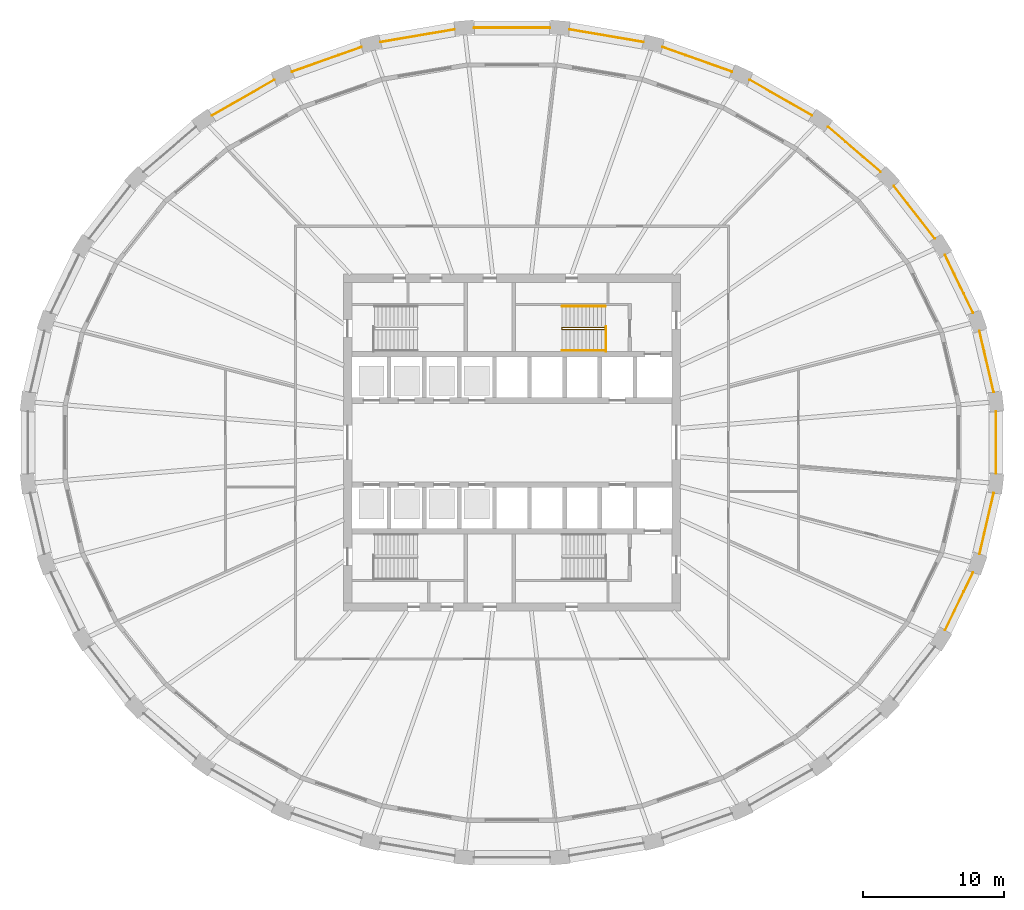
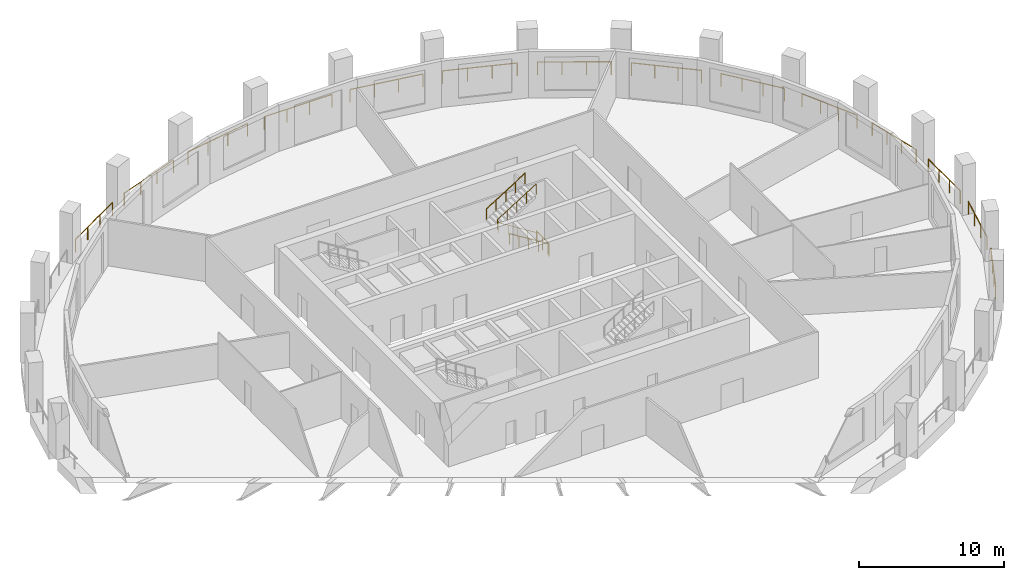
# One storey, part 9 of 10: 18 railings.
"""IFC4 building model written with IfcOpenShell, lengths in metres."""

from ifc_helpers import new_model, si_unit, direction, frame, origin, origin_2d, place, context, subcontext, project, spatial, circle, extrude, material, type_object, element, save


model = new_model("IFC4")

# Units and contexts
model_context = context("Model", 3, precision=1e-05, world=origin(), true_north=direction((0.0, 1.0)))
body_context = subcontext(model_context, "Body", "Model", "MODEL_VIEW")
ifc_project = project(units=[si_unit("LENGTHUNIT", "METRE"), si_unit("AREAUNIT", "SQUARE_METRE"), si_unit("VOLUMEUNIT", "CUBIC_METRE"), si_unit("PLANEANGLEUNIT", "RADIAN"), si_unit("MASSUNIT", "GRAM", prefix="KILO")], contexts=[model_context])

# Site, building, storey
site_placement = place(None, origin())
site = spatial("IfcSite", under=ifc_project, at=site_placement, CompositionType="ELEMENT")
building_placement = place(site_placement, origin())
building = spatial("IfcBuilding", under=site, at=building_placement, Name="Halqa Exchange Tower", CompositionType="ELEMENT")
storey_placement = place(building_placement, frame((0.0, 0.0, 133.89990234375)))
storey = spatial("IfcBuildingStorey", under=building, at=storey_placement, Name="L30", CompositionType="ELEMENT", Elevation=133.89990234375)

# Railings
ifc_material = material(Name="Stainless steel", Category="steel")
railing_type_1 = type_object("IfcRailingType", Name="Guard 1100 stainless steel", PredefinedType="GUARDRAIL", material=ifc_material)
railing_1_placement = place(storey_placement, frame((34.280517578125, 3.58935546875, 0.0)))
element("IfcRailing", 1, at=railing_1_placement, inside=storey, type_object=railing_type_1, Name="Loggia guard 1", PredefinedType="GUARDRAIL", context=body_context, shape_type="SweptSolid", body=[
    extrude(circle(Radius=0.02392578125, at=origin_2d()), frame((0.0, 0.0, 1.076171875), z_axis=(-0.226084201975, 0.974107762836, 0.0), x_axis=(-0.974107762836, -0.226084201975, 0.0)), (0.0, 0.0, 1.0), 4.454345703125),
    extrude(circle(Radius=0.02099609375, at=origin_2d()), origin(), (0.0, 0.0, 1.0), 1.052001953125),
    extrude(circle(Radius=0.02099609375, at=origin_2d()), frame((-0.335693359375, 1.4462890625, 0.0)), (0.0, 0.0, 1.0), 1.052001953125),
    extrude(circle(Radius=0.02099609375, at=origin_2d()), frame((-0.67138671875, 2.892822265625, 0.0)), (0.0, 0.0, 1.0), 1.052001953125),
    extrude(circle(Radius=0.02099609375, at=origin_2d()), frame((-1.007080078125, 4.339111328125, 0.0)), (0.0, 0.0, 1.0), 1.052001953125),
])
railing_2_placement = place(storey_placement, frame((32.810546875, 9.240478515625, 0.0)))
element("IfcRailing", 2, at=railing_2_placement, inside=storey, type_object=railing_type_1, Name="Loggia guard 2", PredefinedType="GUARDRAIL", context=body_context, shape_type="SweptSolid", body=[
    extrude(circle(Radius=0.02392578125, at=origin_2d()), frame((0.0, 0.0, 1.076171875), z_axis=(-0.435089925601, 0.900387003816, 0.0), x_axis=(-0.900387003816, -0.435089925601, 0.0)), (0.0, 0.0, 1.0), 4.56640625),
    extrude(circle(Radius=0.02099609375, at=origin_2d()), origin(), (0.0, 0.0, 1.0), 1.052001953125),
    extrude(circle(Radius=0.02099609375, at=origin_2d()), frame((-0.662353515625, 1.37060546875, 0.0)), (0.0, 0.0, 1.0), 1.052001953125),
    extrude(circle(Radius=0.02099609375, at=origin_2d()), frame((-1.324462890625, 2.740966796875, 0.0)), (0.0, 0.0, 1.0), 1.052001953125),
    extrude(circle(Radius=0.02099609375, at=origin_2d()), frame((-1.98681640625, 4.111572265625, 0.0)), (0.0, 0.0, 1.0), 1.052001953125),
])
railing_3_placement = place(storey_placement, frame((30.088623046875, 14.534423828125, 0.0)))
element("IfcRailing", 3, at=railing_3_placement, inside=storey, type_object=railing_type_1, Name="Loggia guard 3", PredefinedType="GUARDRAIL", context=body_context, shape_type="SweptSolid", body=[
    extrude(circle(Radius=0.02392578125, at=origin_2d()), frame((0.0, 0.0, 1.076171875), z_axis=(-0.614769268327, 0.788707009428, 0.0), x_axis=(-0.788707009428, -0.614769268327, 0.0)), (0.0, 0.0, 1.0), 4.730224609375),
    extrude(circle(Radius=0.02099609375, at=origin_2d()), origin(), (0.0, 0.0, 1.0), 1.052001953125),
    extrude(circle(Radius=0.02099609375, at=origin_2d()), frame((-0.96923828125, 1.24365234375, 0.0)), (0.0, 0.0, 1.0), 1.052001953125),
    extrude(circle(Radius=0.02099609375, at=origin_2d()), frame((-1.938720703125, 2.487060546875, 0.0)), (0.0, 0.0, 1.0), 1.052001953125),
    extrude(circle(Radius=0.02099609375, at=origin_2d()), frame((-2.907958984375, 3.730712890625, 0.0)), (0.0, 0.0, 1.0), 1.052001953125),
])
railing_4_placement = place(storey_placement, frame((26.21875, 19.272705078125, 0.0)))
element("IfcRailing", 4, at=railing_4_placement, inside=storey, type_object=railing_type_1, Name="Loggia guard 4", PredefinedType="GUARDRAIL", context=body_context, shape_type="SweptSolid", body=[
    extrude(circle(Radius=0.02392578125, at=origin_2d()), frame((0.0, 0.0, 1.076171875), z_axis=(-0.759260106659, 0.650787285091, 0.0), x_axis=(-0.650787285091, -0.759260106659, 0.0)), (0.0, 0.0, 1.0), 4.917724609375),
    extrude(circle(Radius=0.02099609375, at=origin_2d()), origin(), (0.0, 0.0, 1.0), 1.052001953125),
    extrude(circle(Radius=0.02099609375, at=origin_2d()), frame((-1.24462890625, 1.06689453125, 0.0)), (0.0, 0.0, 1.0), 1.052001953125),
    extrude(circle(Radius=0.02099609375, at=origin_2d()), frame((-2.4892578125, 2.133544921875, 0.0)), (0.0, 0.0, 1.0), 1.052001953125),
    extrude(circle(Radius=0.02099609375, at=origin_2d()), frame((-3.73388671875, 3.200439453125, 0.0)), (0.0, 0.0, 1.0), 1.052001953125),
])
railing_5_placement = place(storey_placement, frame((21.345947265625, 23.276611328125, 0.0)))
element("IfcRailing", 5, at=railing_5_placement, inside=storey, type_object=railing_type_1, Name="Loggia guard 5", PredefinedType="GUARDRAIL", context=body_context, shape_type="SweptSolid", body=[
    extrude(circle(Radius=0.02392578125, at=origin_2d()), frame((0.0, 0.0, 1.076171875), z_axis=(-0.867765525419, 0.496973835222, 0.0), x_axis=(-0.496973835222, -0.867765525419, 0.0)), (0.0, 0.0, 1.0), 5.10009765625),
    extrude(circle(Radius=0.02099609375, at=origin_2d()), origin(), (0.0, 0.0, 1.0), 1.052001953125),
    extrude(circle(Radius=0.02099609375, at=origin_2d()), frame((-1.475341796875, 0.844970703125, 0.0)), (0.0, 0.0, 1.0), 1.052001953125),
    extrude(circle(Radius=0.02099609375, at=origin_2d()), frame((-2.950439453125, 1.689697265625, 0.0)), (0.0, 0.0, 1.0), 1.052001953125),
    extrude(circle(Radius=0.02099609375, at=origin_2d()), frame((-4.42578125, 2.53466796875, 0.0)), (0.0, 0.0, 1.0), 1.052001953125),
])
railing_6_placement = place(storey_placement, frame((15.653076171875, 26.3935546875, 0.0)))
element("IfcRailing", 6, at=railing_6_placement, inside=storey, type_object=railing_type_1, Name="Loggia guard 6", PredefinedType="GUARDRAIL", context=body_context, shape_type="SweptSolid", body=[
    extrude(circle(Radius=0.02392578125, at=origin_2d()), frame((0.0, 0.0, 1.076171875), z_axis=(-0.942362020759, 0.334595011664, 0.0), x_axis=(-0.334595011664, -0.942362020759, 0.0)), (0.0, 0.0, 1.0), 5.250732421875),
    extrude(circle(Radius=0.02099609375, at=origin_2d()), origin(), (0.0, 0.0, 1.0), 1.052001953125),
    extrude(circle(Radius=0.02099609375, at=origin_2d()), frame((-1.6494140625, 0.585693359375, 0.0)), (0.0, 0.0, 1.0), 1.052001953125),
    extrude(circle(Radius=0.02099609375, at=origin_2d()), frame((-3.298583984375, 1.171142578125, 0.0)), (0.0, 0.0, 1.0), 1.052001953125),
    extrude(circle(Radius=0.02099609375, at=origin_2d()), frame((-4.947998046875, 1.7568359375, 0.0)), (0.0, 0.0, 1.0), 1.052001953125),
])
railing_7_placement = place(storey_placement, frame((9.35546875, 28.502197265625, 0.0)))
element("IfcRailing", 7, at=railing_7_placement, inside=storey, type_object=railing_type_1, Name="Loggia guard 7", PredefinedType="GUARDRAIL", context=body_context, shape_type="SweptSolid", body=[
    extrude(circle(Radius=0.02392578125, at=origin_2d()), frame((0.0, 0.0, 1.076171875), z_axis=(-0.985774069953, 0.168075825176, 0.0), x_axis=(-0.168075825176, -0.985774069953, 0.0)), (0.0, 0.0, 1.0), 5.349853515625),
    extrude(circle(Radius=0.02099609375, at=origin_2d()), origin(), (0.0, 0.0, 1.0), 1.052001953125),
    extrude(circle(Radius=0.02099609375, at=origin_2d()), frame((-1.7578125, 0.2998046875, 0.0)), (0.0, 0.0, 1.0), 1.052001953125),
    extrude(circle(Radius=0.02099609375, at=origin_2d()), frame((-3.515869140625, 0.599365234375, 0.0)), (0.0, 0.0, 1.0), 1.052001953125),
    extrude(circle(Radius=0.02099609375, at=origin_2d()), frame((-5.273681640625, 0.899169921875, 0.0)), (0.0, 0.0, 1.0), 1.052001953125),
])
railing_8_placement = place(storey_placement, frame((2.69189453125, 29.518798828125, 0.0)))
element("IfcRailing", 8, at=railing_8_placement, inside=storey, type_object=railing_type_1, Name="Loggia guard 8", PredefinedType="GUARDRAIL", context=body_context, shape_type="SweptSolid", body=[
    extrude(circle(Radius=0.02392578125, at=origin_2d()), frame((0.0, 0.0, 1.076171875), z_axis=(-1.0, 0.0, 0.0), x_axis=(0.0, -1.0, 0.0)), (0.0, 0.0, 1.0), 5.3837890625),
    extrude(circle(Radius=0.02099609375, at=origin_2d()), origin(), (0.0, 0.0, 1.0), 1.052001953125),
    extrude(circle(Radius=0.02099609375, at=origin_2d()), frame((-1.794677734375, 0.0, 0.0)), (0.0, 0.0, 1.0), 1.052001953125),
    extrude(circle(Radius=0.02099609375, at=origin_2d()), frame((-3.589111328125, 0.0, 0.0)), (0.0, 0.0, 1.0), 1.052001953125),
    extrude(circle(Radius=0.02099609375, at=origin_2d()), frame((-5.3837890625, 0.0, 0.0)), (0.0, 0.0, 1.0), 1.052001953125),
])
railing_9_placement = place(storey_placement, frame((-4.081787109375, 29.4013671875, 0.0)))
element("IfcRailing", 9, at=railing_9_placement, inside=storey, type_object=railing_type_1, Name="Loggia guard 9", PredefinedType="GUARDRAIL", context=body_context, shape_type="SweptSolid", body=[
    extrude(circle(Radius=0.02392578125, at=origin_2d()), frame((0.0, 0.0, 1.076171875), z_axis=(-0.985774069953, -0.168075825176, 0.0), x_axis=(0.168075825176, -0.985774069953, 0.0)), (0.0, 0.0, 1.0), 5.349853515625),
    extrude(circle(Radius=0.02099609375, at=origin_2d()), origin(), (0.0, 0.0, 1.0), 1.052001953125),
    extrude(circle(Radius=0.02099609375, at=origin_2d()), frame((-1.7578125, -0.2998046875, 0.0)), (0.0, 0.0, 1.0), 1.052001953125),
    extrude(circle(Radius=0.02099609375, at=origin_2d()), frame((-3.515869140625, -0.599365234375, 0.0)), (0.0, 0.0, 1.0), 1.052001953125),
    extrude(circle(Radius=0.02099609375, at=origin_2d()), frame((-5.273681640625, -0.899169921875, 0.0)), (0.0, 0.0, 1.0), 1.052001953125),
])
railing_10_placement = place(storey_placement, frame((-10.705078125, 28.150390625, 0.0)))
element("IfcRailing", 10, at=railing_10_placement, inside=storey, type_object=railing_type_1, Name="Loggia guard 10", PredefinedType="GUARDRAIL", context=body_context, shape_type="SweptSolid", body=[
    extrude(circle(Radius=0.02392578125, at=origin_2d()), frame((0.0, 0.0, 1.076171875), z_axis=(-0.942362020759, -0.334595011664, 0.0), x_axis=(0.334595011664, -0.942362020759, 0.0)), (0.0, 0.0, 1.0), 5.250732421875),
    extrude(circle(Radius=0.02099609375, at=origin_2d()), origin(), (0.0, 0.0, 1.0), 1.052001953125),
    extrude(circle(Radius=0.02099609375, at=origin_2d()), frame((-1.6494140625, -0.585693359375, 0.0)), (0.0, 0.0, 1.0), 1.052001953125),
    extrude(circle(Radius=0.02099609375, at=origin_2d()), frame((-3.298583984375, -1.171142578125, 0.0)), (0.0, 0.0, 1.0), 1.052001953125),
    extrude(circle(Radius=0.02099609375, at=origin_2d()), frame((-4.947998046875, -1.7568359375, 0.0)), (0.0, 0.0, 1.0), 1.052001953125),
])
railing_11_placement = place(storey_placement, frame((-16.920166015625, 25.811279296875, 0.0)))
element("IfcRailing", 11, at=railing_11_placement, inside=storey, type_object=railing_type_1, Name="Loggia guard 11", PredefinedType="GUARDRAIL", context=body_context, shape_type="SweptSolid", body=[
    extrude(circle(Radius=0.02392578125, at=origin_2d()), frame((0.0, 0.0, 1.076171875), z_axis=(-0.867765525419, -0.496973835222, 0.0), x_axis=(0.496973835222, -0.867765525419, 0.0)), (0.0, 0.0, 1.0), 5.10009765625),
    extrude(circle(Radius=0.02099609375, at=origin_2d()), origin(), (0.0, 0.0, 1.0), 1.052001953125),
    extrude(circle(Radius=0.02099609375, at=origin_2d()), frame((-1.475341796875, -0.844970703125, 0.0)), (0.0, 0.0, 1.0), 1.052001953125),
    extrude(circle(Radius=0.02099609375, at=origin_2d()), frame((-2.950439453125, -1.689697265625, 0.0)), (0.0, 0.0, 1.0), 1.052001953125),
    extrude(circle(Radius=0.02099609375, at=origin_2d()), frame((-4.42578125, -2.53466796875, 0.0)), (0.0, 0.0, 1.0), 1.052001953125),
])
railing_12_placement = place(storey_placement, frame((30.82373046875, -13.35205078125, 0.0)))
element("IfcRailing", 12, at=railing_12_placement, inside=storey, type_object=railing_type_1, Name="Loggia guard 30", PredefinedType="GUARDRAIL", context=body_context, shape_type="SweptSolid", body=[
    extrude(circle(Radius=0.02392578125, at=origin_2d()), frame((0.0, 0.0, 1.076171875), z_axis=(0.435089925601, 0.900387003816, 0.0), x_axis=(-0.900387003816, 0.435089925601, 0.0)), (0.0, 0.0, 1.0), 4.56640625),
    extrude(circle(Radius=0.02099609375, at=origin_2d()), origin(), (0.0, 0.0, 1.0), 1.052001953125),
    extrude(circle(Radius=0.02099609375, at=origin_2d()), frame((0.662353515625, 1.37060546875, 0.0)), (0.0, 0.0, 1.0), 1.052001953125),
    extrude(circle(Radius=0.02099609375, at=origin_2d()), frame((1.324462890625, 2.740966796875, 0.0)), (0.0, 0.0, 1.0), 1.052001953125),
    extrude(circle(Radius=0.02099609375, at=origin_2d()), frame((1.98681640625, 4.111572265625, 0.0)), (0.0, 0.0, 1.0), 1.052001953125),
])
railing_13_placement = place(storey_placement, frame((33.2734375, -7.928466796875, 0.0)))
element("IfcRailing", 13, at=railing_13_placement, inside=storey, type_object=railing_type_1, Name="Loggia guard 31", PredefinedType="GUARDRAIL", context=body_context, shape_type="SweptSolid", body=[
    extrude(circle(Radius=0.02392578125, at=origin_2d()), frame((0.0, 0.0, 1.076171875), z_axis=(0.226084201975, 0.974107762836, 0.0), x_axis=(-0.974107762836, 0.226084201975, 0.0)), (0.0, 0.0, 1.0), 4.454345703125),
    extrude(circle(Radius=0.02099609375, at=origin_2d()), origin(), (0.0, 0.0, 1.0), 1.052001953125),
    extrude(circle(Radius=0.02099609375, at=origin_2d()), frame((0.335693359375, 1.4462890625, 0.0)), (0.0, 0.0, 1.0), 1.052001953125),
    extrude(circle(Radius=0.02099609375, at=origin_2d()), frame((0.67138671875, 2.892822265625, 0.0)), (0.0, 0.0, 1.0), 1.052001953125),
    extrude(circle(Radius=0.02099609375, at=origin_2d()), frame((1.007080078125, 4.339111328125, 0.0)), (0.0, 0.0, 1.0), 1.052001953125),
])
railing_14_placement = place(storey_placement, frame((34.438720703125, -2.20751953125, 0.0)))
element("IfcRailing", 14, at=railing_14_placement, inside=storey, type_object=railing_type_1, Name="Loggia guard 32", PredefinedType="GUARDRAIL", context=body_context, shape_type="SweptSolid", body=[
    extrude(circle(Radius=0.02392578125, at=origin_2d()), frame((0.0, 0.0, 1.076171875), z_axis=(0.0, 1.0, 0.0), x_axis=(-1.0, 0.0, 0.0)), (0.0, 0.0, 1.0), 4.4150390625),
    extrude(circle(Radius=0.02099609375, at=origin_2d()), origin(), (0.0, 0.0, 1.0), 1.052001953125),
    extrude(circle(Radius=0.02099609375, at=origin_2d()), frame((0.0, 1.4716796875, 0.0)), (0.0, 0.0, 1.0), 1.052001953125),
    extrude(circle(Radius=0.02099609375, at=origin_2d()), frame((0.0, 2.943359375, 0.0)), (0.0, 0.0, 1.0), 1.052001953125),
    extrude(circle(Radius=0.02099609375, at=origin_2d()), frame((0.0, 4.4150390625, 0.0)), (0.0, 0.0, 1.0), 1.052001953125),
])
railing_type_2 = type_object("IfcRailingType", Name="Stair handrail 900", PredefinedType="HANDRAIL", material=ifc_material)
railing_15_placement = place(storey_placement, frame((6.64990234375, 8.06005859375, 0.175048828125)))
element("IfcRailing", 15, at=railing_15_placement, inside=storey, type_object=railing_type_2, Name="Handrail ST2.1", PredefinedType="HANDRAIL", context=body_context, shape_type="SweptSolid", body=[
    extrude(circle(Radius=0.02392578125, at=origin_2d()), frame((0.0, 0.0, 0.8759765625), z_axis=(-0.847979421464, 0.0, 0.530029150871), x_axis=(0.0, -1.0, 0.0)), (0.0, 0.0, 1.0), 3.632080078125),
    extrude(circle(Radius=0.02392578125, at=origin_2d()), frame((-3.079833984375, 0.0, 2.80078125), z_axis=(0.0, 0.595870227118, 0.803080738428), x_axis=(-1.0, 0.0, 0.0)), (0.0, 0.0, 1.0), 0.218017578125),
    extrude(circle(Radius=0.02392578125, at=origin_2d()), frame((-3.079833984375, 0.1298828125, 2.97607421875), z_axis=(0.847979421464, 0.0, 0.530029150871), x_axis=(0.0, 1.0, 0.0)), (0.0, 0.0, 1.0), 3.632080078125),
    extrude(circle(Radius=0.02099609375, at=origin_2d()), origin(), (0.0, 0.0, 1.0), 0.851806640625),
    extrude(circle(Radius=0.02099609375, at=origin_2d()), frame((-0.77001953125, 0.0, 0.481201171875)), (0.0, 0.0, 1.0), 0.851806640625),
    extrude(circle(Radius=0.02099609375, at=origin_2d()), frame((-1.5400390625, 0.0, 0.96240234375)), (0.0, 0.0, 1.0), 0.851806640625),
    extrude(circle(Radius=0.02099609375, at=origin_2d()), frame((-2.309814453125, 0.0, 1.44384765625)), (0.0, 0.0, 1.0), 0.851806640625),
    extrude(circle(Radius=0.02099609375, at=origin_2d()), frame((-3.079833984375, 0.0, 1.925048828125)), (0.0, 0.0, 1.0), 0.851806640625),
    extrude(circle(Radius=0.02099609375, at=origin_2d()), frame((-3.079833984375, 0.1298828125, 2.10009765625)), (0.0, 0.0, 1.0), 0.851806640625),
    extrude(circle(Radius=0.02099609375, at=origin_2d()), frame((-2.309814453125, 0.1298828125, 2.581298828125)), (0.0, 0.0, 1.0), 0.851806640625),
    extrude(circle(Radius=0.02099609375, at=origin_2d()), frame((-1.5400390625, 0.1298828125, 3.0625)), (0.0, 0.0, 1.0), 0.851806640625),
    extrude(circle(Radius=0.02099609375, at=origin_2d()), frame((-0.77001953125, 0.1298828125, 3.5439453125)), (0.0, 0.0, 1.0), 0.851806640625),
    extrude(circle(Radius=0.02099609375, at=origin_2d()), frame((0.0, 0.1298828125, 4.025146484375)), (0.0, 0.0, 1.0), 0.851806640625),
])
railing_16_placement = place(storey_placement, frame((6.64990234375, 6.550048828125, 0.175048828125)))
element("IfcRailing", 16, at=railing_16_placement, inside=storey, type_object=railing_type_2, Name="Handrail ST2.2", PredefinedType="HANDRAIL", context=body_context, shape_type="SweptSolid", body=[
    extrude(circle(Radius=0.02392578125, at=origin_2d()), frame((0.0, 0.0, 0.8759765625), z_axis=(-0.847979421464, 0.0, 0.530029150871), x_axis=(0.0, -1.0, 0.0)), (0.0, 0.0, 1.0), 3.632080078125),
    extrude(circle(Radius=0.02099609375, at=origin_2d()), origin(), (0.0, 0.0, 1.0), 0.851806640625),
    extrude(circle(Radius=0.02099609375, at=origin_2d()), frame((-0.77001953125, 0.0, 0.481201171875)), (0.0, 0.0, 1.0), 0.851806640625),
    extrude(circle(Radius=0.02099609375, at=origin_2d()), frame((-1.5400390625, 0.0, 0.96240234375)), (0.0, 0.0, 1.0), 0.851806640625),
    extrude(circle(Radius=0.02099609375, at=origin_2d()), frame((-2.309814453125, 0.0, 1.44384765625)), (0.0, 0.0, 1.0), 0.851806640625),
    extrude(circle(Radius=0.02099609375, at=origin_2d()), frame((-3.079833984375, 0.0, 1.925048828125)), (0.0, 0.0, 1.0), 0.851806640625),
])
railing_17_placement = place(storey_placement, frame((3.570068359375, 9.699951171875, 2.275146484375)))
element("IfcRailing", 17, at=railing_17_placement, inside=storey, type_object=railing_type_2, Name="Handrail ST2.3", PredefinedType="HANDRAIL", context=body_context, shape_type="SweptSolid", body=[
    extrude(circle(Radius=0.02392578125, at=origin_2d()), frame((0.0, 0.0, 0.8759765625), z_axis=(0.847979421464, 0.0, 0.530029150871), x_axis=(0.0, 1.0, 0.0)), (0.0, 0.0, 1.0), 3.632080078125),
    extrude(circle(Radius=0.02099609375, at=origin_2d()), origin(), (0.0, 0.0, 1.0), 0.851806640625),
    extrude(circle(Radius=0.02099609375, at=origin_2d()), frame((0.77001953125, 0.0, 0.481201171875)), (0.0, 0.0, 1.0), 0.851806640625),
    extrude(circle(Radius=0.02099609375, at=origin_2d()), frame((1.5400390625, 0.0, 0.96240234375)), (0.0, 0.0, 1.0), 0.851806640625),
    extrude(circle(Radius=0.02099609375, at=origin_2d()), frame((2.309814453125, 0.0, 1.44384765625)), (0.0, 0.0, 1.0), 0.851806640625),
    extrude(circle(Radius=0.02099609375, at=origin_2d()), frame((3.079833984375, 0.0, 1.925048828125)), (0.0, 0.0, 1.0), 0.851806640625),
])
railing_type_3 = type_object("IfcRailingType", Name="Stair well guard 1100", PredefinedType="GUARDRAIL", material=ifc_material)
railing_18_placement = place(storey_placement, frame((6.699951171875, 6.5, 0.0)))
element("IfcRailing", 18, at=railing_18_placement, inside=storey, type_object=railing_type_3, Name="Guard ST2 well", PredefinedType="GUARDRAIL", context=body_context, shape_type="SweptSolid", body=[
    extrude(circle(Radius=0.02392578125, at=origin_2d()), frame((0.0, 0.0, 1.076171875), z_axis=(0.0, 1.0, 0.0), x_axis=(-1.0, 0.0, 0.0)), (0.0, 0.0, 1.0), 1.75),
    extrude(circle(Radius=0.02099609375, at=origin_2d()), origin(), (0.0, 0.0, 1.0), 1.052001953125),
    extrude(circle(Radius=0.02099609375, at=origin_2d()), frame((0.0, 0.875, 0.0)), (0.0, 0.0, 1.0), 1.052001953125),
    extrude(circle(Radius=0.02099609375, at=origin_2d()), frame((0.0, 1.75, 0.0)), (0.0, 0.0, 1.0), 1.052001953125),
])

save(model, "model.ifc")
